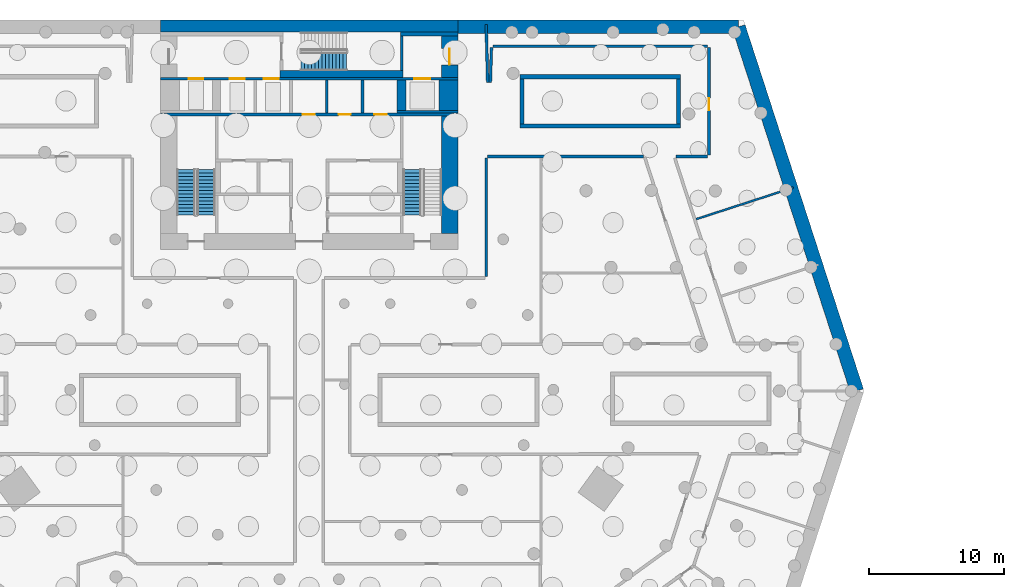
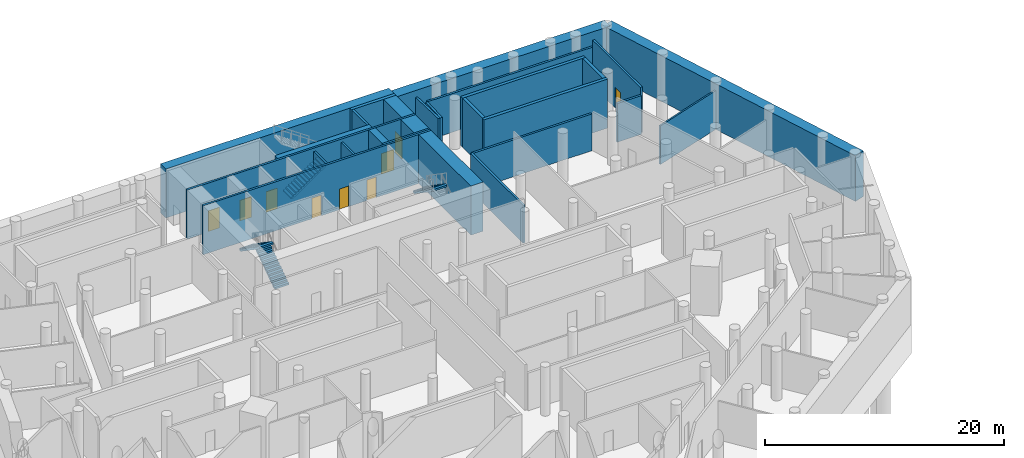
# One storey, part 9 of 12: 27 walls, 9 doors, 4 stair flights, 9 openings, 3 elements without a shape of their own.
"""IFC4 building model written with IfcOpenShell, lengths in metres."""

from ifc_helpers import new_model, si_unit, direction, frame, frame_2d, origin, place, context, subcontext, project, spatial, polyline, rectangle, outline, extrude, material, layer, layer_set, type_object, element, fill, aggregate, save


model = new_model("IFC4")

# Units and contexts
model_context = context("Model", 3, precision=1e-05, world=origin(), true_north=direction((0.0, 1.0)))
body_context = subcontext(model_context, "Body", "Model", "MODEL_VIEW")
ifc_project = project(units=[si_unit("LENGTHUNIT", "METRE"), si_unit("AREAUNIT", "SQUARE_METRE"), si_unit("VOLUMEUNIT", "CUBIC_METRE"), si_unit("PLANEANGLEUNIT", "RADIAN"), si_unit("MASSUNIT", "GRAM", prefix="KILO")], contexts=[model_context])

# Site, building, storey
site_placement = place(None, origin())
site = spatial("IfcSite", under=ifc_project, at=site_placement, CompositionType="ELEMENT")
building_placement = place(site_placement, origin())
building = spatial("IfcBuilding", under=site, at=building_placement, Name="White Candle Pilgrim Tower", CompositionType="ELEMENT")
storey_placement = place(building_placement, frame((0.0, 0.0, -10.0)))
storey = spatial("IfcBuildingStorey", under=building, at=storey_placement, Name="B2", CompositionType="ELEMENT", Elevation=-10.0)

# Wall, opening, door
ifc_material_1 = material(Name="Concrete C70/85", Category="concrete")
ifc_layer_1 = layer(ifc_material_1, 1.199951171875)
ifc_layer_set_1 = layer_set([ifc_layer_1], Name="Core wall 1200 mm Concrete C70/85")
wall_type_1 = type_object("IfcWallType", Name="Core wall 1200 mm Concrete C70/85", PredefinedType="SHEAR", material=ifc_layer_set_1)
wall_1_placement = place(storey_placement, frame((80.39990234375, 83.75, 0.0), z_axis=(0.0, 0.0, 1.0), x_axis=(0.0, 1.0, 0.0)))
wall_1 = element("IfcWall", 1, at=wall_1_placement, inside=storey, type_object=wall_type_1, Name="WL-B2-C36", PredefinedType="SHEAR", context=body_context, shape_type="SweptSolid", body=[
    extrude(rectangle(XDim=3.050048828125, YDim=1.199951171875, at=frame_2d((1.52490234375, 0.0))), origin(), (0.0, 0.0, 1.0), 5.0),
])
opening_1_placement = place(wall_1_placement, frame((0.925048828125, 0.0, 0.0)))
opening_1 = element("IfcOpeningElement", 2, at=opening_1_placement, cuts=wall_1, Name="Opening B2-009", PredefinedType="OPENING", context=body_context, shape_type="SweptSolid", body=[
    extrude(rectangle(XDim=1.199951171875, YDim=2.10009765625, at=frame_2d((0.60009765625, 1.050048828125))), frame((0.0, 0.60986328125, 0.0), z_axis=(0.0, -1.0, 0.0), x_axis=(1.0, 0.0, 0.0)), (0.0, 0.0, 1.0), 1.219970703125),
])
ifc_material_2 = material(Name="Steel door leaf", Category="steel")
door_type_1 = type_object("IfcDoorType", Name="Fire door 1200 x 2100 EI 30", OperationType="NOTDEFINED", PredefinedType="DOOR", material=ifc_material_2)
door_1_placement = place(opening_1_placement, origin())
door_1 = element("IfcDoor", 3, at=door_1_placement, inside=storey, type_object=door_type_1, Name="Door B2-009", OperationType="SINGLE_SWING_LEFT", OverallHeight=2.10009765625, OverallWidth=1.199951171875, PredefinedType="DOOR", context=body_context, shape_type="SweptSolid", body=[
    extrude(rectangle(XDim=1.199951171875, YDim=2.10009765625, at=frame_2d((0.60009765625, 1.050048828125))), frame((0.0, 0.02490234375, 0.0), z_axis=(0.0, -1.0, 0.0), x_axis=(1.0, 0.0, 0.0)), (0.0, 0.0, 1.0), 0.050048828125),
])
fill(opening_1, door_1)

# Walls
ifc_layer_2 = layer(ifc_material_1, 1.39990234375)
ifc_layer_set_2 = layer_set([ifc_layer_2], Name="Core wall 1400 mm Concrete C70/85")
wall_type_2 = type_object("IfcWallType", Name="Core wall 1400 mm Concrete C70/85", PredefinedType="SHEAR", material=ifc_layer_set_2)
wall_2_placement = place(storey_placement, frame((80.300048828125, 81.300048828125, 0.0), z_axis=(0.0, 0.0, 1.0), x_axis=(0.0, 1.0, 0.0)))
element("IfcWall", 4, at=wall_2_placement, inside=storey, type_object=wall_type_2, Name="WL-B2-C32", PredefinedType="SHEAR", context=body_context, shape_type="SweptSolid", body=[
    extrude(rectangle(XDim=2.25, YDim=1.39990234375, at=frame_2d((1.125, 0.0))), origin(), (0.0, 0.0, 1.0), 5.0),
])
ifc_layer_3 = layer(ifc_material_1, 0.199951171875)
ifc_layer_set_3 = layer_set([ifc_layer_3], Name="Core wall 200 mm Concrete C70/85")
wall_type_3 = type_object("IfcWallType", Name="Core wall 200 mm Concrete C70/85", PredefinedType="SHEAR", material=ifc_layer_set_3)
wall_3_placement = place(storey_placement, frame((76.5, 81.199951171875, 0.0), z_axis=(0.0, 0.0, 1.0), x_axis=(1.0, 0.0, 0.0)))
element("IfcWall", 5, at=wall_3_placement, inside=storey, type_object=wall_type_3, Name="WL-B2-C28", PredefinedType="SHEAR", context=body_context, shape_type="SweptSolid", body=[
    extrude(rectangle(XDim=4.5, YDim=0.199951171875, at=frame_2d((2.25, 0.0))), origin(), (0.0, 0.0, 1.0), 5.0),
])

# Wall, openings, doors
wall_4_placement = place(storey_placement, frame((59.0, 83.64990234375, 0.0), z_axis=(0.0, 0.0, 1.0), x_axis=(1.0, 0.0, 0.0)))
wall_4 = element("IfcWall", 6, at=wall_4_placement, inside=storey, type_object=wall_type_3, Name="WL-B2-C33", PredefinedType="SHEAR", context=body_context, shape_type="SweptSolid", body=[
    extrude(rectangle(XDim=22.0, YDim=0.199951171875, at=frame_2d((11.0, 0.0))), origin(), (0.0, 0.0, 1.0), 5.0),
])
opening_2_placement = place(wall_4_placement, frame((5.125, 0.0, 0.0)))
opening_2 = element("IfcOpeningElement", 7, at=opening_2_placement, cuts=wall_4, Name="Opening B2-010", PredefinedType="OPENING", context=body_context, shape_type="SweptSolid", body=[
    extrude(rectangle(XDim=1.10009765625, YDim=2.10009765625, at=frame_2d((0.550048828125, 1.050048828125))), frame((0.0, 0.10986328125, 0.0), z_axis=(0.0, -1.0, 0.0), x_axis=(1.0, 0.0, 0.0)), (0.0, 0.0, 1.0), 0.219970703125),
])
opening_3_placement = place(wall_4_placement, frame((7.64990234375, 0.0, 0.0)))
opening_3 = element("IfcOpeningElement", 8, at=opening_3_placement, cuts=wall_4, Name="Opening B2-011", PredefinedType="OPENING", context=body_context, shape_type="SweptSolid", body=[
    extrude(rectangle(XDim=1.10009765625, YDim=2.10009765625, at=frame_2d((0.550048828125, 1.050048828125))), frame((0.0, 0.10986328125, 0.0), z_axis=(0.0, -1.0, 0.0), x_axis=(1.0, 0.0, 0.0)), (0.0, 0.0, 1.0), 0.219970703125),
])
opening_4_placement = place(wall_4_placement, frame((18.77490234375, 0.0, 0.0)))
opening_4 = element("IfcOpeningElement", 9, at=opening_4_placement, cuts=wall_4, Name="Opening B2-012", PredefinedType="OPENING", context=body_context, shape_type="SweptSolid", body=[
    extrude(rectangle(XDim=1.199951171875, YDim=2.10009765625, at=frame_2d((0.60009765625, 1.050048828125))), frame((0.0, 0.10986328125, 0.0), z_axis=(0.0, -1.0, 0.0), x_axis=(1.0, 0.0, 0.0)), (0.0, 0.0, 1.0), 0.219970703125),
])
opening_5_placement = place(wall_4_placement, frame((2.074951171875, 0.0, 0.0)))
opening_5 = element("IfcOpeningElement", 10, at=opening_5_placement, cuts=wall_4, Name="Opening B2-013", PredefinedType="OPENING", context=body_context, shape_type="SweptSolid", body=[
    extrude(rectangle(XDim=1.10009765625, YDim=2.10009765625, at=frame_2d((0.550048828125, 1.050048828125))), frame((0.0, 0.10986328125, 0.0), z_axis=(0.0, -1.0, 0.0), x_axis=(1.0, 0.0, 0.0)), (0.0, 0.0, 1.0), 0.219970703125),
])
ifc_material_3 = material(Name="Stainless steel", Category="steel")
door_type_2 = type_object("IfcDoorType", Name="Lift landing door 1100 x 2100 EI 60", OperationType="DOUBLE_DOOR_SLIDING", PredefinedType="DOOR", material=ifc_material_3)
door_2_placement = place(opening_2_placement, origin())
door_2 = element("IfcDoor", 11, at=door_2_placement, inside=storey, type_object=door_type_2, Name="Door B2-010", OperationType="DOUBLE_DOOR_SLIDING", OverallHeight=2.10009765625, OverallWidth=1.10009765625, PredefinedType="DOOR", context=body_context, shape_type="SweptSolid", body=[
    extrude(rectangle(XDim=1.10009765625, YDim=2.10009765625, at=frame_2d((0.550048828125, 1.050048828125))), frame((0.0, 0.02490234375, 0.0), z_axis=(0.0, -1.0, 0.0), x_axis=(1.0, 0.0, 0.0)), (0.0, 0.0, 1.0), 0.050048828125),
])
fill(opening_2, door_2)
door_3_placement = place(opening_3_placement, origin())
door_3 = element("IfcDoor", 12, at=door_3_placement, inside=storey, type_object=door_type_2, Name="Door B2-011", OperationType="DOUBLE_DOOR_SLIDING", OverallHeight=2.10009765625, OverallWidth=1.10009765625, PredefinedType="DOOR", context=body_context, shape_type="SweptSolid", body=[
    extrude(rectangle(XDim=1.10009765625, YDim=2.10009765625, at=frame_2d((0.550048828125, 1.050048828125))), frame((0.0, 0.02490234375, 0.0), z_axis=(0.0, -1.0, 0.0), x_axis=(1.0, 0.0, 0.0)), (0.0, 0.0, 1.0), 0.050048828125),
])
fill(opening_3, door_3)
door_4_placement = place(opening_5_placement, origin())
door_4 = element("IfcDoor", 13, at=door_4_placement, inside=storey, type_object=door_type_2, Name="Door B2-013", OperationType="DOUBLE_DOOR_SLIDING", OverallHeight=2.10009765625, OverallWidth=1.10009765625, PredefinedType="DOOR", context=body_context, shape_type="SweptSolid", body=[
    extrude(rectangle(XDim=1.10009765625, YDim=2.10009765625, at=frame_2d((0.550048828125, 1.050048828125))), frame((0.0, 0.02490234375, 0.0), z_axis=(0.0, -1.0, 0.0), x_axis=(1.0, 0.0, 0.0)), (0.0, 0.0, 1.0), 0.050048828125),
])
fill(opening_5, door_4)
door_type_3 = type_object("IfcDoorType", Name="Lift landing door 1200 x 2100 E 60", OperationType="DOUBLE_DOOR_SLIDING", PredefinedType="DOOR", material=ifc_material_3)
door_5_placement = place(opening_4_placement, origin())
door_5 = element("IfcDoor", 14, at=door_5_placement, inside=storey, type_object=door_type_3, Name="Door B2-012", OperationType="DOUBLE_DOOR_SLIDING", OverallHeight=2.10009765625, OverallWidth=1.199951171875, PredefinedType="DOOR", context=body_context, shape_type="SweptSolid", body=[
    extrude(rectangle(XDim=1.199951171875, YDim=2.10009765625, at=frame_2d((0.60009765625, 1.050048828125))), frame((0.0, 0.02490234375, 0.0), z_axis=(0.0, -1.0, 0.0), x_axis=(1.0, 0.0, 0.0)), (0.0, 0.0, 1.0), 0.050048828125),
])
fill(opening_4, door_5)

# Walls
ifc_material_4 = material(Name="Gypsum board on steel studs", Category="steel")
ifc_layer_4 = layer(ifc_material_4, 0.199951171875)
ifc_layer_set_4 = layer_set([ifc_layer_4], Name="Corridor wall 200 mm EI 45")
wall_type_4 = type_object("IfcWallType", Name="Corridor wall 200 mm EI 45", PredefinedType="PARTITIONING", material=ifc_layer_set_4)
wall_5_placement = place(storey_placement, frame((83.10009765625, 87.677978515625, 0.0), z_axis=(0.0, 0.0, 1.0), x_axis=(0.026025742555, -0.999661272994, 0.0)))
element("IfcWall", 15, at=wall_5_placement, inside=storey, type_object=wall_type_4, Name="WL-B2-P011", PredefinedType="PARTITIONING", context=body_context, shape_type="SweptSolid", body=[
    extrude(rectangle(XDim=4.29638671875, YDim=0.199951171875, at=frame_2d((2.148193359375, 0.0))), origin(), (0.0, 0.0, 1.0), 3.949951171875),
])
wall_6_placement = place(storey_placement, frame((83.411865234375, 83.38232421875, 0.0), z_axis=(0.0, 0.0, 1.0), x_axis=(0.033027267016, 0.999454451005, 0.0)))
element("IfcWall", 16, at=wall_6_placement, inside=storey, type_object=wall_type_4, Name="WL-B2-P012", PredefinedType="PARTITIONING", context=body_context, shape_type="SweptSolid", body=[
    extrude(rectangle(XDim=2.572509765625, YDim=0.199951171875, at=frame_2d((1.2861328125, 0.0))), origin(), (0.0, 0.0, 1.0), 3.949951171875),
])
wall_7_placement = place(storey_placement, frame((83.5966796875, 86.050048828125, 0.0), z_axis=(0.0, 0.0, 1.0), x_axis=(1.0, 0.0, 0.0)))
element("IfcWall", 17, at=wall_7_placement, inside=storey, type_object=wall_type_4, Name="WL-B2-P013", PredefinedType="PARTITIONING", context=body_context, shape_type="SweptSolid", body=[
    extrude(rectangle(XDim=15.9033203125, YDim=0.199951171875, at=frame_2d((7.95166015625, 0.0))), origin(), (0.0, 0.0, 1.0), 3.949951171875),
])

# Wall, opening, door
wall_8_placement = place(storey_placement, frame((99.60009765625, 85.949951171875, 0.0), z_axis=(0.0, 0.0, 1.0), x_axis=(0.0, -1.0, 0.0)))
wall_8 = element("IfcWall", 18, at=wall_8_placement, inside=storey, type_object=wall_type_4, Name="WL-B2-P014", PredefinedType="PARTITIONING", context=body_context, shape_type="SweptSolid", body=[
    extrude(rectangle(XDim=7.949951171875, YDim=0.199951171875, at=frame_2d((3.97509765625, 0.0))), origin(), (0.0, 0.0, 1.0), 4.64990234375),
])
opening_6_placement = place(wall_8_placement, frame((3.735107421875, 0.0, 0.0)))
opening_6 = element("IfcOpeningElement", 19, at=opening_6_placement, cuts=wall_8, Name="Opening B2-121", PredefinedType="OPENING", context=body_context, shape_type="SweptSolid", body=[
    extrude(rectangle(XDim=0.89990234375, YDim=2.10009765625, at=frame_2d((0.449951171875, 1.050048828125))), frame((0.0, 0.10986328125, 0.0), z_axis=(0.0, -1.0, 0.0), x_axis=(1.0, 0.0, 0.0)), (0.0, 0.0, 1.0), 0.219970703125),
])
door_type_4 = type_object("IfcDoorType", Name="Fire door 900 x 2100 EI 30", OperationType="NOTDEFINED", PredefinedType="DOOR", material=ifc_material_2)
door_6_placement = place(opening_6_placement, origin())
door_6 = element("IfcDoor", 20, at=door_6_placement, inside=storey, type_object=door_type_4, Name="Door B2-121", OperationType="SINGLE_SWING_LEFT", OverallHeight=2.10009765625, OverallWidth=0.89990234375, PredefinedType="DOOR", context=body_context, shape_type="SweptSolid", body=[
    extrude(rectangle(XDim=0.89990234375, YDim=2.10009765625, at=frame_2d((0.449951171875, 1.050048828125))), frame((0.0, 0.02490234375, 0.0), z_axis=(0.0, -1.0, 0.0), x_axis=(1.0, 0.0, 0.0)), (0.0, 0.0, 1.0), 0.050048828125),
])
fill(opening_6, door_6)

# Walls
wall_9_placement = place(storey_placement, frame((99.5, 77.89990234375, 0.0), z_axis=(0.0, 0.0, 1.0), x_axis=(-1.0, 0.0, 0.0)))
element("IfcWall", 21, at=wall_9_placement, inside=storey, type_object=wall_type_4, Name="WL-B2-P015", PredefinedType="PARTITIONING", context=body_context, shape_type="SweptSolid", body=[
    extrude(rectangle(XDim=2.3349609375, YDim=0.199951171875, at=frame_2d((1.16748046875, 0.0))), origin(), (0.0, 0.0, 1.0), 3.949951171875),
])
wall_10_placement = place(storey_placement, frame((94.746826171875, 77.89990234375, 0.0), z_axis=(0.0, 0.0, 1.0), x_axis=(-1.0, 0.0, 0.0)))
element("IfcWall", 22, at=wall_10_placement, inside=storey, type_object=wall_type_4, Name="WL-B2-P029", PredefinedType="PARTITIONING", context=body_context, shape_type="SweptSolid", body=[
    extrude(rectangle(XDim=11.546875, YDim=0.199951171875, at=frame_2d((5.7734375, 0.0))), origin(), (0.0, 0.0, 1.0), 3.75),
])
wall_11_placement = place(storey_placement, frame((83.10009765625, 77.800048828125, 0.0), z_axis=(0.0, 0.0, 1.0), x_axis=(0.0, -1.0, 0.0)))
element("IfcWall", 23, at=wall_11_placement, inside=storey, type_object=wall_type_4, Name="WL-B2-P030", PredefinedType="PARTITIONING", context=body_context, shape_type="SweptSolid", body=[
    extrude(rectangle(XDim=8.800048828125, YDim=0.199951171875, at=frame_2d((4.39990234375, 0.0))), origin(), (0.0, 0.0, 1.0), 3.85009765625),
])
ifc_material_5 = material(Name="Concrete C40/50", Category="concrete")
ifc_layer_5 = layer(ifc_material_5, 1.0)
ifc_layer_set_5 = layer_set([ifc_layer_5], Name="Diaphragm wall 1000")
wall_type_5 = type_object("IfcWallType", Name="Diaphragm wall 1000", PredefinedType="SOLIDWALL", material=ifc_layer_set_5)
wall_12_placement = place(storey_placement, frame((81.0, 87.5, 0.0), z_axis=(0.0, 0.0, 1.0), x_axis=(1.0, 0.0, 0.0)))
element("IfcWall", 24, at=wall_12_placement, inside=storey, type_object=wall_type_5, Name="Diaphragm wall B2-08", PredefinedType="SOLIDWALL", context=body_context, shape_type="SweptSolid", body=[
    extrude(rectangle(XDim=20.794189453125, YDim=1.0, at=frame_2d((10.39697265625, 0.0))), origin(), (0.0, 0.0, 1.0), 4.64990234375),
])
wall_13_placement = place(storey_placement, frame((101.794189453125, 87.5, 0.0), z_axis=(0.0, 0.0, 1.0), x_axis=(0.309015382076, -0.951057040161, 0.0)))
element("IfcWall", 25, at=wall_13_placement, inside=storey, type_object=wall_type_5, Name="Diaphragm wall B2-09", PredefinedType="SOLIDWALL", context=body_context, shape_type="SweptSolid", body=[
    extrude(rectangle(XDim=28.34814453125, YDim=1.0, at=frame_2d((14.174072265625, 0.0))), origin(), (0.0, 0.0, 1.0), 4.64990234375),
])
ifc_layer_6 = layer(ifc_material_4, 0.199951171875)
ifc_layer_set_6 = layer_set([ifc_layer_6], Name="Lobby wall 200 mm EI 60")
wall_type_6 = type_object("IfcWallType", Name="Lobby wall 200 mm EI 60", PredefinedType="PARTITIONING", material=ifc_layer_set_6)
for number, where, z_axis, x_axis, name in (
    (26, (71.300048828125, 81.10009765625, 0.0), (0.0, 0.0, 1.0), (0.0, 1.0, 0.0), "WL-B2-C26"),
    (27, (73.949951171875, 81.10009765625, 0.0), (0.0, 0.0, 1.0), (0.0, 1.0, 0.0), "WL-B2-C27"),
):
    element("IfcWall", number, at=place(storey_placement, frame(where, z_axis=z_axis, x_axis=x_axis)), inside=storey, type_object=wall_type_6, Name=name, PredefinedType="PARTITIONING", context=body_context, shape_type="SweptSolid", body=[
        extrude(rectangle(XDim=2.449951171875, YDim=0.199951171875, at=frame_2d((1.22509765625, 0.0))), origin(), (0.0, 0.0, 1.0), 4.64990234375),
    ])
ifc_layer_7 = layer(ifc_material_4, 0.14990234375)
ifc_layer_set_7 = layer_set([ifc_layer_7], Name="Partition 150 mm EI 60")
wall_type_7 = type_object("IfcWallType", Name="Partition 150 mm EI 60", PredefinedType="PARTITIONING", material=ifc_layer_set_7)
wall_14_placement = place(storey_placement, frame((105.850830078125, 75.597412109375, 0.0), z_axis=(0.0, 0.0, 1.0), x_axis=(-0.951049215908, -0.309039461753, 0.0)))
element("IfcWall", 28, at=wall_14_placement, inside=storey, type_object=wall_type_7, Name="WL-B2-P078", PredefinedType="PARTITIONING", context=body_context, shape_type="SweptSolid", body=[
    extrude(rectangle(XDim=7.580078125, YDim=0.14990234375, at=frame_2d((3.7900390625, 0.0))), origin(), (0.0, 0.0, 1.0), 3.949951171875),
])
ifc_material_6 = material(Name="Concrete C60/75", Category="concrete")
ifc_layer_8 = layer(ifc_material_6, 0.300048828125)
ifc_layer_set_8 = layer_set([ifc_layer_8], Name="Shaft wall 300 mm Concrete C60/75")
wall_type_8 = type_object("IfcWallType", Name="Shaft wall 300 mm Concrete C60/75", PredefinedType="SHEAR", material=ifc_layer_set_8)
for number, where, z_axis, x_axis, name in (
    (29, (85.60009765625, 80.14990234375, 0.0), (0.0, 0.0, 1.0), (1.0, 0.0, 0.0), "WL-B2-PB11S"),
    (30, (85.60009765625, 83.800048828125, 0.0), (0.0, 0.0, 1.0), (1.0, 0.0, 0.0), "WL-B2-PB11N"),
):
    element("IfcWall", number, at=place(storey_placement, frame(where, z_axis=z_axis, x_axis=x_axis)), inside=storey, type_object=wall_type_8, Name=name, PredefinedType="SHEAR", context=body_context, shape_type="SweptSolid", body=[
        extrude(rectangle(XDim=11.89990234375, YDim=0.300048828125, at=frame_2d((5.949951171875, 0.0))), origin(), (0.0, 0.0, 1.0), 5.0),
    ])
for number, where, z_axis, x_axis, name in (
    (31, (85.75, 80.300048828125, 0.0), (0.0, 0.0, 1.0), (0.0, 1.0, 0.0), "WL-B2-PB11W"),
    (32, (97.35009765625, 80.300048828125, 0.0), (0.0, 0.0, 1.0), (0.0, 1.0, 0.0), "WL-B2-PB11E"),
):
    element("IfcWall", number, at=place(storey_placement, frame(where, z_axis=z_axis, x_axis=x_axis)), inside=storey, type_object=wall_type_8, Name=name, PredefinedType="SHEAR", context=body_context, shape_type="SweptSolid", body=[
        extrude(rectangle(XDim=3.349853515625, YDim=0.300048828125, at=frame_2d((1.6748046875, 0.0))), origin(), (0.0, 0.0, 1.0), 5.0),
    ])
ifc_layer_9 = layer(ifc_material_1, 0.64990234375)
ifc_layer_set_9 = layer_set([ifc_layer_9], Name="Shaft wall 650 mm Concrete C70/85")
wall_type_9 = type_object("IfcWallType", Name="Shaft wall 650 mm Concrete C70/85", PredefinedType="SHEAR", material=ifc_layer_set_9)
wall_15_placement = place(storey_placement, frame((76.824951171875, 81.300048828125, 0.0), z_axis=(0.0, 0.0, 1.0), x_axis=(0.0, 1.0, 0.0)))
element("IfcWall", 33, at=wall_15_placement, inside=storey, type_object=wall_type_9, Name="WL-B2-C31", PredefinedType="SHEAR", context=body_context, shape_type="SweptSolid", body=[
    extrude(rectangle(XDim=2.25, YDim=0.64990234375, at=frame_2d((1.125, 0.0))), origin(), (0.0, 0.0, 1.0), 5.0),
])
ifc_layer_10 = layer(ifc_material_1, 1.199951171875)
ifc_layer_set_10 = layer_set([ifc_layer_10], Name="Stair shaft wall 1200 mm Concrete C70/85")
wall_type_10 = type_object("IfcWallType", Name="Stair shaft wall 1200 mm Concrete C70/85", PredefinedType="SHEAR", material=ifc_layer_set_10)
wall_16_placement = place(storey_placement, frame((80.39990234375, 72.199951171875, 0.0), z_axis=(0.0, 0.0, 1.0), x_axis=(0.0, 1.0, 0.0)))
element("IfcWall", 34, at=wall_16_placement, inside=storey, type_object=wall_type_10, Name="WL-B2-C07", PredefinedType="SHEAR", context=body_context, shape_type="SweptSolid", body=[
    extrude(rectangle(XDim=8.699951171875, YDim=1.199951171875, at=frame_2d((4.35009765625, 0.0))), origin(), (0.0, 0.0, 1.0), 5.0),
])

# Wall, openings, doors
ifc_layer_11 = layer(ifc_material_1, 0.199951171875)
ifc_layer_set_11 = layer_set([ifc_layer_11], Name="Stair shaft wall 200 mm Concrete C70/85")
wall_type_11 = type_object("IfcWallType", Name="Stair shaft wall 200 mm Concrete C70/85", PredefinedType="SHEAR", material=ifc_layer_set_11)
wall_17_placement = place(storey_placement, frame((59.0, 81.0, 0.0), z_axis=(0.0, 0.0, 1.0), x_axis=(1.0, 0.0, 0.0)))
wall_17 = element("IfcWall", 35, at=wall_17_placement, inside=storey, type_object=wall_type_11, Name="WL-B2-C22", PredefinedType="SHEAR", context=body_context, shape_type="SweptSolid", body=[
    extrude(rectangle(XDim=22.0, YDim=0.199951171875, at=frame_2d((11.0, 0.0))), origin(), (0.0, 0.0, 1.0), 5.0),
])
opening_7_placement = place(wall_17_placement, frame((10.52490234375, 0.0, 0.0)))
opening_7 = element("IfcOpeningElement", 36, at=opening_7_placement, cuts=wall_17, Name="Opening B2-017", PredefinedType="OPENING", context=body_context, shape_type="SweptSolid", body=[
    extrude(rectangle(XDim=0.89990234375, YDim=2.10009765625, at=frame_2d((0.449951171875, 1.050048828125))), frame((0.0, 0.10986328125, 0.0), z_axis=(0.0, -1.0, 0.0), x_axis=(1.0, 0.0, 0.0)), (0.0, 0.0, 1.0), 0.219970703125),
])
opening_8_placement = place(wall_17_placement, frame((13.175048828125, 0.0, 0.0)))
opening_8 = element("IfcOpeningElement", 37, at=opening_8_placement, cuts=wall_17, Name="Opening B2-018", PredefinedType="OPENING", context=body_context, shape_type="SweptSolid", body=[
    extrude(rectangle(XDim=0.89990234375, YDim=2.10009765625, at=frame_2d((0.449951171875, 1.050048828125))), frame((0.0, 0.10986328125, 0.0), z_axis=(0.0, -1.0, 0.0), x_axis=(1.0, 0.0, 0.0)), (0.0, 0.0, 1.0), 0.219970703125),
])
opening_9_placement = place(wall_17_placement, frame((15.824951171875, 0.0, 0.0)))
opening_9 = element("IfcOpeningElement", 38, at=opening_9_placement, cuts=wall_17, Name="Opening B2-019", PredefinedType="OPENING", context=body_context, shape_type="SweptSolid", body=[
    extrude(rectangle(XDim=0.89990234375, YDim=2.10009765625, at=frame_2d((0.449951171875, 1.050048828125))), frame((0.0, 0.10986328125, 0.0), z_axis=(0.0, -1.0, 0.0), x_axis=(1.0, 0.0, 0.0)), (0.0, 0.0, 1.0), 0.219970703125),
])
door_7_placement = place(opening_7_placement, origin())
door_7 = element("IfcDoor", 39, at=door_7_placement, inside=storey, type_object=door_type_4, Name="Door B2-017", OperationType="SINGLE_SWING_LEFT", OverallHeight=2.10009765625, OverallWidth=0.89990234375, PredefinedType="DOOR", context=body_context, shape_type="SweptSolid", body=[
    extrude(rectangle(XDim=0.89990234375, YDim=2.10009765625, at=frame_2d((0.449951171875, 1.050048828125))), frame((0.0, 0.02490234375, 0.0), z_axis=(0.0, -1.0, 0.0), x_axis=(1.0, 0.0, 0.0)), (0.0, 0.0, 1.0), 0.050048828125),
])
fill(opening_7, door_7)
door_8_placement = place(opening_8_placement, origin())
door_8 = element("IfcDoor", 40, at=door_8_placement, inside=storey, type_object=door_type_4, Name="Door B2-018", OperationType="SINGLE_SWING_RIGHT", OverallHeight=2.10009765625, OverallWidth=0.89990234375, PredefinedType="DOOR", context=body_context, shape_type="SweptSolid", body=[
    extrude(rectangle(XDim=0.89990234375, YDim=2.10009765625, at=frame_2d((0.449951171875, 1.050048828125))), frame((0.0, 0.02490234375, 0.0), z_axis=(0.0, -1.0, 0.0), x_axis=(1.0, 0.0, 0.0)), (0.0, 0.0, 1.0), 0.050048828125),
])
fill(opening_8, door_8)
door_9_placement = place(opening_9_placement, origin())
door_9 = element("IfcDoor", 41, at=door_9_placement, inside=storey, type_object=door_type_4, Name="Door B2-019", OperationType="SINGLE_SWING_LEFT", OverallHeight=2.10009765625, OverallWidth=0.89990234375, PredefinedType="DOOR", context=body_context, shape_type="SweptSolid", body=[
    extrude(rectangle(XDim=0.89990234375, YDim=2.10009765625, at=frame_2d((0.449951171875, 1.050048828125))), frame((0.0, 0.02490234375, 0.0), z_axis=(0.0, -1.0, 0.0), x_axis=(1.0, 0.0, 0.0)), (0.0, 0.0, 1.0), 0.050048828125),
])
fill(opening_9, door_9)

# Walls
wall_18_placement = place(storey_placement, frame((76.85009765625, 84.25, 0.0), z_axis=(0.0, 0.0, 1.0), x_axis=(0.0, 1.0, 0.0)))
element("IfcWall", 42, at=wall_18_placement, inside=storey, type_object=wall_type_11, Name="WL-B2-C38", PredefinedType="SHEAR", context=body_context, shape_type="SweptSolid", body=[
    extrude(rectangle(XDim=2.550048828125, YDim=0.199951171875, at=frame_2d((1.27490234375, 0.0))), origin(), (0.0, 0.0, 1.0), 5.0),
])
ifc_layer_12 = layer(ifc_material_1, 0.300048828125)
ifc_layer_set_12 = layer_set([ifc_layer_12], Name="Stair shaft wall 300 mm Concrete C70/85")
wall_type_12 = type_object("IfcWallType", Name="Stair shaft wall 300 mm Concrete C70/85", PredefinedType="SHEAR", material=ifc_layer_set_12)
wall_19_placement = place(storey_placement, frame((76.75, 86.949951171875, 0.0), z_axis=(0.0, 0.0, 1.0), x_axis=(1.0, 0.0, 0.0)))
element("IfcWall", 43, at=wall_19_placement, inside=storey, type_object=wall_type_12, Name="WL-B2-C40", PredefinedType="SHEAR", context=body_context, shape_type="SweptSolid", body=[
    extrude(rectangle(XDim=4.25, YDim=0.300048828125, at=frame_2d((2.125, 0.0))), origin(), (0.0, 0.0, 1.0), 5.0),
])
ifc_layer_13 = layer(ifc_material_1, 0.5)
ifc_layer_set_13 = layer_set([ifc_layer_13], Name="Stair shaft wall 500 mm Concrete C70/85")
wall_type_13 = type_object("IfcWallType", Name="Stair shaft wall 500 mm Concrete C70/85", PredefinedType="SHEAR", material=ifc_layer_set_13)
wall_20_placement = place(storey_placement, frame((67.85009765625, 84.0, 0.0), z_axis=(0.0, 0.0, 1.0), x_axis=(1.0, 0.0, 0.0)))
element("IfcWall", 44, at=wall_20_placement, inside=storey, type_object=wall_type_13, Name="WL-B2-C35", PredefinedType="SHEAR", context=body_context, shape_type="SweptSolid", body=[
    extrude(rectangle(XDim=9.099853515625, YDim=0.5, at=frame_2d((4.5498046875, 0.0))), origin(), (0.0, 0.0, 1.0), 5.0),
])
ifc_layer_14 = layer(ifc_material_1, 0.89990234375)
ifc_layer_set_14 = layer_set([ifc_layer_14], Name="Stair shaft wall 900 mm Concrete C70/85")
wall_type_14 = type_object("IfcWallType", Name="Stair shaft wall 900 mm Concrete C70/85", PredefinedType="SHEAR", material=ifc_layer_set_14)
wall_21_placement = place(storey_placement, frame((59.0, 87.550048828125, 0.0), z_axis=(0.0, 0.0, 1.0), x_axis=(1.0, 0.0, 0.0)))
element("IfcWall", 45, at=wall_21_placement, inside=storey, type_object=wall_type_14, Name="WL-B2-C41", PredefinedType="SHEAR", context=body_context, shape_type="SweptSolid", body=[
    extrude(rectangle(XDim=22.0, YDim=0.89990234375, at=frame_2d((11.0, 0.0))), origin(), (0.0, 0.0, 1.0), 5.0),
])

# Stair, stair flights
stair_type_1 = type_object("IfcStairType", Name="Exit stair 1 flight width 1350 mm", PredefinedType="HALF_TURN_STAIR", material=ifc_material_5)
stair_1_placement = place(storey_placement, origin())
stair_1 = element("IfcStair", 46, at=stair_1_placement, inside=storey, type_object=stair_type_1, Name="B2 stair 1", PredefinedType="NOTDEFINED")
ifc_layer_15 = layer(ifc_material_5, 0.14990234375)
ifc_layer_set_15 = layer_set([ifc_layer_15], Name="Stair flight Concrete C40/50")
stair_flight_type = type_object("IfcStairFlightType", Name="Stair flight Concrete C40/50", PredefinedType="STRAIGHT", material=ifc_layer_set_15)
stair_flight_1_placement = place(storey_placement, frame((62.375, 73.550048828125, 0.0), z_axis=(0.0, 0.0, 1.0), x_axis=(0.0, 1.0, 0.0)))
stair_flight_1 = element("IfcStairFlight", 47, at=stair_flight_1_placement, type_object=stair_flight_type, Name="ST1 flight 1", NumberOfRisers=14, NumberOfTreads=13, PredefinedType="NOTDEFINED", RiserHeight=0.178571429, TreadLength=0.26, context=body_context, shape_type="SweptSolid", body=[
    extrude(outline(polyline([(0.0, 0.0), (0.0, 0.178466796875), (0.260009765625, 0.178466796875), (0.260009765625, 0.357177734375), (0.52001953125, 0.357177734375), (0.52001953125, 0.53564453125), (0.780029296875, 0.53564453125), (0.780029296875, 0.71435546875), (1.0400390625, 0.71435546875), (1.0400390625, 0.892822265625), (1.300048828125, 0.892822265625), (1.300048828125, 1.071533203125), (1.56005859375, 1.071533203125), (1.56005859375, 1.25), (1.820068359375, 1.25), (1.820068359375, 1.428466796875), (2.080078125, 1.428466796875), (2.080078125, 1.607177734375), (2.340087890625, 1.607177734375), (2.340087890625, 1.78564453125), (2.60009765625, 1.78564453125), (2.60009765625, 1.96435546875), (2.860107421875, 1.96435546875), (2.860107421875, 2.142822265625), (3.1201171875, 2.142822265625), (3.1201171875, 2.321533203125), (3.3798828125, 2.321533203125), (3.3798828125, 2.5), (3.3798828125, 2.1396484375), (0.264892578125, 0.0), (0.0, 0.0)])), frame((0.0, 0.675048828125, 0.0), z_axis=(0.0, -1.0, 0.0), x_axis=(1.0, 0.0, 0.0)), (0.0, 0.0, 1.0), 1.35009765625),
])
stair_flight_2_placement = place(storey_placement, frame((60.875, 76.929931640625, 2.5), z_axis=(0.0, 0.0, 1.0), x_axis=(0.0, -1.0, 0.0)))
stair_flight_2 = element("IfcStairFlight", 48, at=stair_flight_2_placement, type_object=stair_flight_type, Name="ST1 flight 2", NumberOfRisers=14, NumberOfTreads=13, PredefinedType="NOTDEFINED", RiserHeight=0.178571429, TreadLength=0.26, context=body_context, shape_type="SweptSolid", body=[
    extrude(outline(polyline([(0.0, 0.0), (0.0, 0.178466796875), (0.260009765625, 0.178466796875), (0.260009765625, 0.357177734375), (0.52001953125, 0.357177734375), (0.52001953125, 0.53564453125), (0.780029296875, 0.53564453125), (0.780029296875, 0.71435546875), (1.0400390625, 0.71435546875), (1.0400390625, 0.892822265625), (1.300048828125, 0.892822265625), (1.300048828125, 1.071533203125), (1.56005859375, 1.071533203125), (1.56005859375, 1.25), (1.820068359375, 1.25), (1.820068359375, 1.428466796875), (2.080078125, 1.428466796875), (2.080078125, 1.607177734375), (2.340087890625, 1.607177734375), (2.340087890625, 1.78564453125), (2.60009765625, 1.78564453125), (2.60009765625, 1.96435546875), (2.860107421875, 1.96435546875), (2.860107421875, 2.142822265625), (3.1201171875, 2.142822265625), (3.1201171875, 2.321533203125), (3.3798828125, 2.321533203125), (3.3798828125, 2.5), (3.3798828125, 2.1396484375), (0.264892578125, 0.0), (0.0, 0.0)])), frame((0.0, 0.675048828125, 0.0), z_axis=(0.0, -1.0, 0.0), x_axis=(1.0, 0.0, 0.0)), (0.0, 0.0, 1.0), 1.35009765625),
])
aggregate(stair_1, [stair_flight_1, stair_flight_2])

# Stair, stair flight
stair_type_2 = type_object("IfcStairType", Name="Exit stair 2 flight width 1350 mm", PredefinedType="HALF_TURN_STAIR", material=ifc_material_5)
stair_2_placement = place(storey_placement, origin())
stair_2 = element("IfcStair", 49, at=stair_2_placement, inside=storey, type_object=stair_type_2, Name="B2 stair 2", PredefinedType="NOTDEFINED")
stair_flight_3_placement = place(storey_placement, frame((77.625, 76.929931640625, 2.5), z_axis=(0.0, 0.0, 1.0), x_axis=(0.0, -1.0, 0.0)))
stair_flight_3 = element("IfcStairFlight", 50, at=stair_flight_3_placement, type_object=stair_flight_type, Name="ST2 flight 2", NumberOfRisers=14, NumberOfTreads=13, PredefinedType="NOTDEFINED", RiserHeight=0.178571429, TreadLength=0.26, context=body_context, shape_type="SweptSolid", body=[
    extrude(outline(polyline([(0.0, 0.0), (0.0, 0.178466796875), (0.260009765625, 0.178466796875), (0.260009765625, 0.357177734375), (0.52001953125, 0.357177734375), (0.52001953125, 0.53564453125), (0.780029296875, 0.53564453125), (0.780029296875, 0.71435546875), (1.0400390625, 0.71435546875), (1.0400390625, 0.892822265625), (1.300048828125, 0.892822265625), (1.300048828125, 1.071533203125), (1.56005859375, 1.071533203125), (1.56005859375, 1.25), (1.820068359375, 1.25), (1.820068359375, 1.428466796875), (2.080078125, 1.428466796875), (2.080078125, 1.607177734375), (2.340087890625, 1.607177734375), (2.340087890625, 1.78564453125), (2.60009765625, 1.78564453125), (2.60009765625, 1.96435546875), (2.860107421875, 1.96435546875), (2.860107421875, 2.142822265625), (3.1201171875, 2.142822265625), (3.1201171875, 2.321533203125), (3.3798828125, 2.321533203125), (3.3798828125, 2.5), (3.3798828125, 2.1396484375), (0.264892578125, 0.0), (0.0, 0.0)])), frame((0.0, 0.675048828125, 0.0), z_axis=(0.0, -1.0, 0.0), x_axis=(1.0, 0.0, 0.0)), (0.0, 0.0, 1.0), 1.35009765625),
])
aggregate(stair_2, [stair_flight_3])

stair_type_3 = type_object("IfcStairType", Name="Exit stair 3 flight width 1350 mm", PredefinedType="HALF_TURN_STAIR", material=ifc_material_5)
stair_3_placement = place(storey_placement, origin())
stair_3 = element("IfcStair", 51, at=stair_3_placement, inside=storey, type_object=stair_type_3, Name="B2 stair 3", PredefinedType="NOTDEFINED")
stair_flight_4_placement = place(storey_placement, frame((69.39990234375, 84.925048828125, 0.0), z_axis=(0.0, 0.0, 1.0), x_axis=(1.0, 0.0, 0.0)))
stair_flight_4 = element("IfcStairFlight", 52, at=stair_flight_4_placement, type_object=stair_flight_type, Name="ST3 flight 1", NumberOfRisers=14, NumberOfTreads=13, PredefinedType="NOTDEFINED", RiserHeight=0.178571429, TreadLength=0.26, context=body_context, shape_type="SweptSolid", body=[
    extrude(outline(polyline([(0.0, 0.0), (0.0, 0.178466796875), (0.260009765625, 0.178466796875), (0.260009765625, 0.357177734375), (0.52001953125, 0.357177734375), (0.52001953125, 0.53564453125), (0.780029296875, 0.53564453125), (0.780029296875, 0.71435546875), (1.0400390625, 0.71435546875), (1.0400390625, 0.892822265625), (1.300048828125, 0.892822265625), (1.300048828125, 1.071533203125), (1.56005859375, 1.071533203125), (1.56005859375, 1.25), (1.820068359375, 1.25), (1.820068359375, 1.428466796875), (2.080078125, 1.428466796875), (2.080078125, 1.607177734375), (2.340087890625, 1.607177734375), (2.340087890625, 1.78564453125), (2.60009765625, 1.78564453125), (2.60009765625, 1.96435546875), (2.860107421875, 1.96435546875), (2.860107421875, 2.142822265625), (3.1201171875, 2.142822265625), (3.1201171875, 2.321533203125), (3.3798828125, 2.321533203125), (3.3798828125, 2.5), (3.3798828125, 2.1396484375), (0.264892578125, 0.0), (0.0, 0.0)])), frame((0.0, 0.675048828125, 0.0), z_axis=(0.0, -1.0, 0.0), x_axis=(1.0, 0.0, 0.0)), (0.0, 0.0, 1.0), 1.35009765625),
])
aggregate(stair_3, [stair_flight_4])

save(model, "model.ifc")
